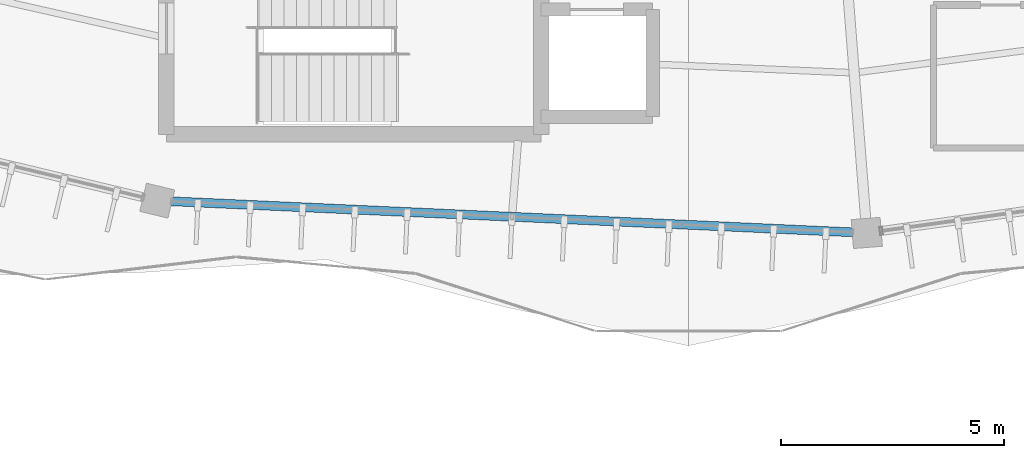
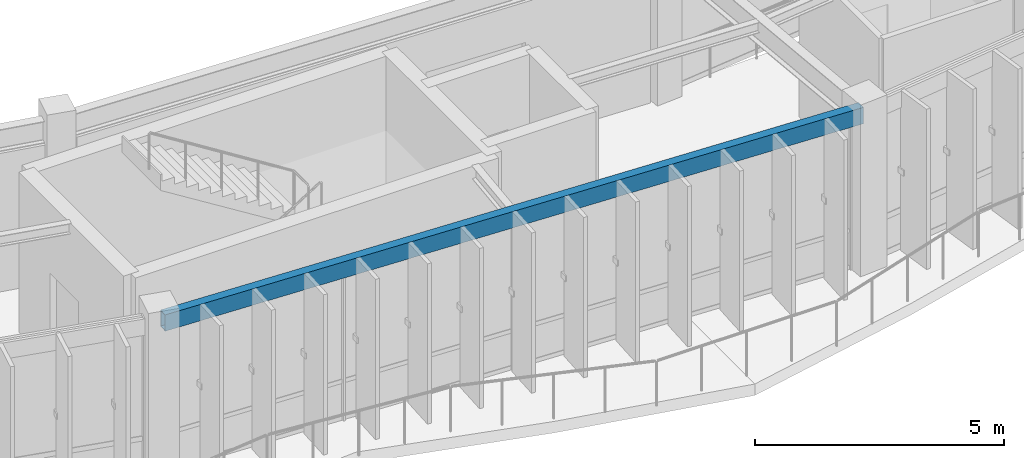
# One storey, part 24 of 114: 1 beam.
"""IFC4 building model written with IfcOpenShell, lengths in metres."""

from ifc_helpers import new_model, si_unit, direction, frame, origin, origin_2d, place, context, subcontext, project, spatial, hollow_rectangle, extrude, material, material_profile, profile_set, type_object, element, save


model = new_model("IFC4")

# Units and contexts
model_context = context("Model", 3, precision=1e-05, world=origin(), true_north=direction((0.0, 1.0)))
body_context = subcontext(model_context, "Body", "Model", "MODEL_VIEW")
ifc_project = project(units=[si_unit("LENGTHUNIT", "METRE"), si_unit("AREAUNIT", "SQUARE_METRE"), si_unit("VOLUMEUNIT", "CUBIC_METRE"), si_unit("PLANEANGLEUNIT", "RADIAN"), si_unit("MASSUNIT", "GRAM", prefix="KILO"), si_unit("THERMODYNAMICTEMPERATUREUNIT", "KELVIN"), si_unit("POWERUNIT", "WATT")], contexts=[model_context])

# Site, building, storey
site_placement = place(None, origin())
site = spatial("IfcSite", under=ifc_project, at=site_placement, CompositionType="ELEMENT")
building_placement = place(site_placement, origin())
building = spatial("IfcBuilding", under=site, at=building_placement, Name="Darbajah Civic Hall", CompositionType="ELEMENT")
storey_placement = place(building_placement, frame((0.0, 0.0, 13.800048828125)))
storey = spatial("IfcBuildingStorey", under=building, at=storey_placement, Name="L03", CompositionType="ELEMENT", Elevation=13.800048828125)

# Beam
ifc_material = material(Name="Steel S355JR", Category="steel")
ifc_material_profile = material_profile(ifc_material, hollow_rectangle(XDim=0.199951171875, YDim=0.39990234375, WallThickness=0.013916015625, at=origin_2d()), Name="RHS 400x200x14")
ifc_profile_set = profile_set([ifc_material_profile], Name="Steel S355JR")
beam_type = type_object("IfcBeamType", Name="RHS 400x200x14", PredefinedType="SPANDREL", material=ifc_profile_set)
beam_placement = place(storey_placement, frame((77.274169921875, 61.111572265625, 3.719970703125), z_axis=(0.998964928608, -0.04548704664, 0.0), x_axis=(0.04548704664, 0.998964928608, 0.0)))
element("IfcBeam", 1, at=beam_placement, inside=storey, type_object=beam_type, Name="L03 beam SP-RHS400", PredefinedType="SPANDREL", context=body_context, shape_type="SweptSolid", body=[
    extrude(hollow_rectangle(XDim=0.199951171875, YDim=0.39990234375, WallThickness=0.013916015625, at=origin_2d()), origin(), (0.0, 0.0, 1.0), 15.763671875),
])

save(model, "model.ifc")
